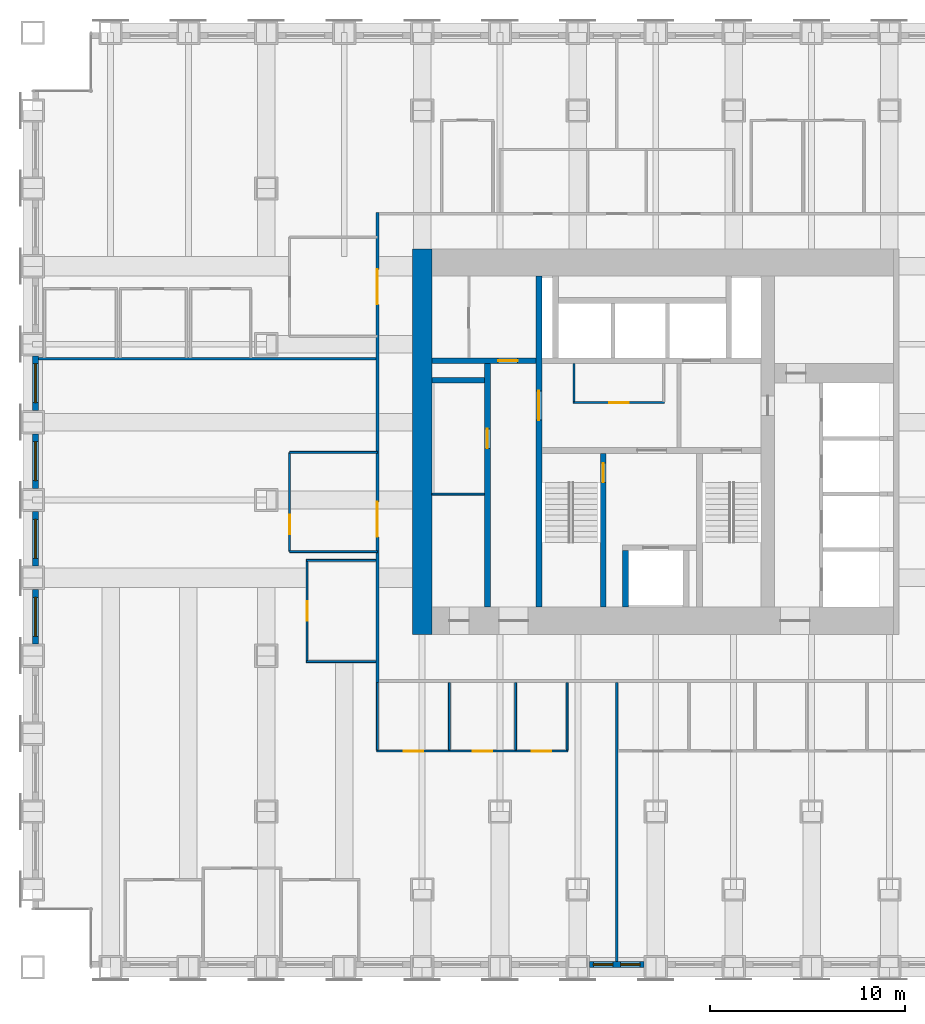
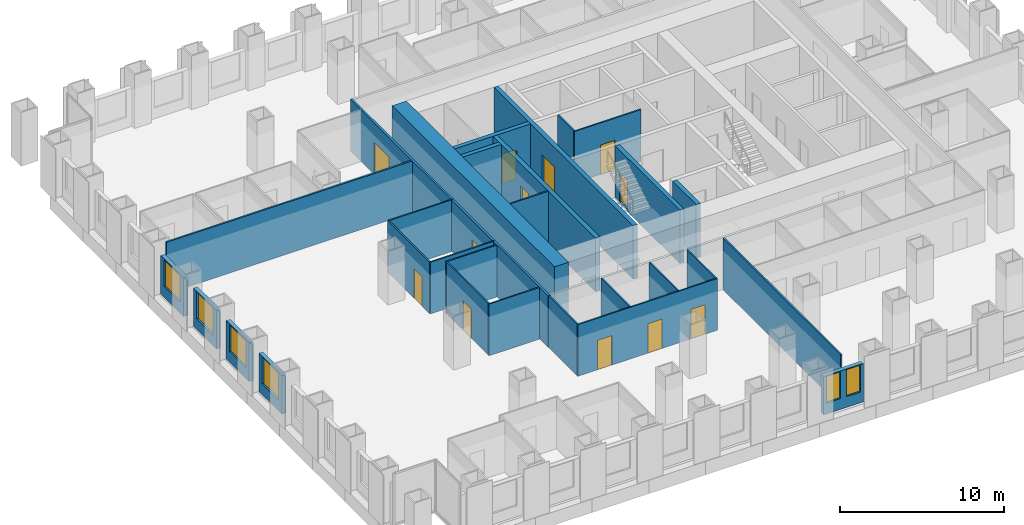
# One storey, part 8 of 14: 29 walls, 12 doors, 6 windows, 18 openings.
"""IFC4 building model written with IfcOpenShell, lengths in metres."""

from ifc_helpers import new_model, si_unit, direction, frame, frame_2d, origin, place, context, subcontext, project, spatial, rectangle, extrude, material, layer, layer_set, type_object, element, fill, save


model = new_model("IFC4")

# Units and contexts
model_context = context("Model", 3, precision=1e-05, world=origin(), true_north=direction((0.0, 1.0)))
body_context = subcontext(model_context, "Body", "Model", "MODEL_VIEW")
ifc_project = project(units=[si_unit("LENGTHUNIT", "METRE"), si_unit("AREAUNIT", "SQUARE_METRE"), si_unit("VOLUMEUNIT", "CUBIC_METRE"), si_unit("PLANEANGLEUNIT", "RADIAN"), si_unit("MASSUNIT", "GRAM", prefix="KILO")], contexts=[model_context])

# Site, building, storey
site_placement = place(None, origin())
site = spatial("IfcSite", under=ifc_project, at=site_placement, CompositionType="ELEMENT")
building_placement = place(site_placement, origin())
building = spatial("IfcBuilding", under=site, at=building_placement, Name="Rimbunsela Tower", CompositionType="ELEMENT")
storey_placement = place(building_placement, frame((0.0, 0.0, 59.0)))
storey = spatial("IfcBuildingStorey", under=building, at=storey_placement, Name="L14", CompositionType="ELEMENT", Elevation=59.0)

# Wall, opening, door
ifc_material_1 = material(Name="Concrete fc' 80 MPa", Category="concrete")
ifc_layer_1 = layer(ifc_material_1, 0.300048828125)
ifc_layer_set_1 = layer_set([ifc_layer_1], Name="Core internal wall 300")
wall_type_1 = type_object("IfcWallType", Name="Core internal wall 300", PredefinedType="SHEAR", material=ifc_layer_set_1)
wall_1_placement = place(storey_placement, frame((24.0, 18.5, -0.14990234375), z_axis=(0.0, 0.0, 1.0), x_axis=(0.0, 1.0, 0.0)))
wall_1 = element("IfcWall", 1, at=wall_1_placement, inside=storey, type_object=wall_type_1, Name="Core wall at stair A", PredefinedType="SHEAR", context=body_context, shape_type="SweptSolid", body=[
    extrude(rectangle(XDim=17.0, YDim=0.300048828125, at=frame_2d((8.5, 0.0))), origin(), (0.0, 0.0, 1.0), 4.0),
])
opening_1_placement = place(wall_1_placement, frame((9.60009765625, 0.0, 0.14990234375)))
opening_1 = element("IfcOpeningElement", 2, at=opening_1_placement, cuts=wall_1, Name="Opening D03", PredefinedType="OPENING", context=body_context, shape_type="SweptSolid", body=[
    extrude(rectangle(XDim=1.5, YDim=2.39990234375, at=frame_2d((0.75, 1.199951171875))), frame((0.0, 0.159912109375, 0.0), z_axis=(0.0, -1.0, 0.0), x_axis=(1.0, 0.0, 0.0)), (0.0, 0.0, 1.0), 0.320068359375),
])
ifc_material_2 = material(Name="Steel door, fire rated", Category="steel")
door_type_1 = type_object("IfcDoorType", Name="Core lobby door 1500", OperationType="DOUBLE_DOOR_DOUBLE_SWING", PredefinedType="DOOR", material=ifc_material_2)
door_1_placement = place(opening_1_placement, origin())
door_1 = element("IfcDoor", 3, at=door_1_placement, inside=storey, type_object=door_type_1, Name="West lobby door", OperationType="DOUBLE_DOOR_DOUBLE_SWING", OverallHeight=2.39990234375, OverallWidth=1.5, PredefinedType="DOOR", context=body_context, shape_type="SweptSolid", body=[
    extrude(rectangle(XDim=1.5, YDim=2.39990234375, at=frame_2d((0.75, 1.199951171875))), frame((0.0, 0.02490234375, 0.0), z_axis=(0.0, -1.0, 0.0), x_axis=(1.0, 0.0, 0.0)), (0.0, 0.0, 1.0), 0.050048828125),
])
fill(opening_1, door_1)

wall_2_placement = place(storey_placement, frame((27.300048828125, 18.5, -0.14990234375), z_axis=(0.0, 0.0, 1.0), x_axis=(0.0, 1.0, 0.0)))
wall_2 = element("IfcWall", 4, at=wall_2_placement, inside=storey, type_object=wall_type_1, Name="Stair A enclosure", PredefinedType="SHEAR", context=body_context, shape_type="SweptSolid", body=[
    extrude(rectangle(XDim=7.89990234375, YDim=0.300048828125, at=frame_2d((3.949951171875, 0.0))), origin(), (0.0, 0.0, 1.0), 4.0),
])
opening_2_placement = place(wall_2_placement, frame((6.39990234375, 0.0, 0.14990234375)))
opening_2 = element("IfcOpeningElement", 5, at=opening_2_placement, cuts=wall_2, Name="Opening D01", PredefinedType="OPENING", context=body_context, shape_type="SweptSolid", body=[
    extrude(rectangle(XDim=1.0, YDim=2.199951171875, at=frame_2d((0.5, 1.10009765625))), frame((0.0, 0.159912109375, 0.0), z_axis=(0.0, -1.0, 0.0), x_axis=(1.0, 0.0, 0.0)), (0.0, 0.0, 1.0), 0.320068359375),
])
ifc_material_3 = material(Name="Steel door, fire rated", Category="steel")
door_type_2 = type_object("IfcDoorType", Name="Stair door 1000", OperationType="SINGLE_SWING_RIGHT", PredefinedType="DOOR", material=ifc_material_3)
door_2_placement = place(opening_2_placement, origin())
door_2 = element("IfcDoor", 6, at=door_2_placement, inside=storey, type_object=door_type_2, Name="Stair A door", OperationType="SINGLE_SWING_RIGHT", OverallHeight=2.199951171875, OverallWidth=1.0, PredefinedType="DOOR", context=body_context, shape_type="SweptSolid", body=[
    extrude(rectangle(XDim=1.0, YDim=2.199951171875, at=frame_2d((0.5, 1.10009765625))), frame((0.0, 0.02490234375, 0.0), z_axis=(0.0, -1.0, 0.0), x_axis=(1.0, 0.0, 0.0)), (0.0, 0.0, 1.0), 0.050048828125),
])
fill(opening_2, door_2)

# Wall
wall_3_placement = place(storey_placement, frame((28.449951171875, 18.5, -0.14990234375), z_axis=(0.0, 0.0, 1.0), x_axis=(0.0, 1.0, 0.0)))
element("IfcWall", 7, at=wall_3_placement, inside=storey, type_object=wall_type_1, Name="Firefighting lift shaft west", PredefinedType="SHEAR", context=body_context, shape_type="SweptSolid", body=[
    extrude(rectangle(XDim=2.89990234375, YDim=0.300048828125, at=frame_2d((1.449951171875, 0.0))), origin(), (0.0, 0.0, 1.0), 4.0),
])

# Wall, opening, door
wall_4_placement = place(storey_placement, frame((21.35009765625, 18.5, -0.14990234375), z_axis=(0.0, 0.0, 1.0), x_axis=(0.0, 1.0, 0.0)))
wall_4 = element("IfcWall", 8, at=wall_4_placement, inside=storey, type_object=wall_type_1, Name="Lift shaft front west", PredefinedType="SHEAR", context=body_context, shape_type="SweptSolid", body=[
    extrude(rectangle(XDim=12.5, YDim=0.300048828125, at=frame_2d((6.25, 0.0))), origin(), (0.0, 0.0, 1.0), 4.0),
])
opening_3_placement = place(wall_4_placement, frame((8.14990234375, 0.0, 0.14990234375)))
opening_3 = element("IfcOpeningElement", 9, at=opening_3_placement, cuts=wall_4, Name="Opening D19", PredefinedType="OPENING", context=body_context, shape_type="SweptSolid", body=[
    extrude(rectangle(XDim=1.0, YDim=2.199951171875, at=frame_2d((0.5, 1.10009765625))), frame((0.0, 0.159912109375, 0.0), z_axis=(0.0, -1.0, 0.0), x_axis=(1.0, 0.0, 0.0)), (0.0, 0.0, 1.0), 0.320068359375),
])
ifc_material_4 = material(Name="Steel door, fire rated", Category="steel")
door_type_3 = type_object("IfcDoorType", Name="Service door 1000 fire rated", OperationType="SINGLE_SWING_LEFT", PredefinedType="DOOR", material=ifc_material_4)
door_3_placement = place(opening_3_placement, origin())
door_3 = element("IfcDoor", 10, at=door_3_placement, inside=storey, type_object=door_type_3, Name="IT room door", OperationType="SINGLE_SWING_LEFT", OverallHeight=2.199951171875, OverallWidth=1.0, PredefinedType="DOOR", context=body_context, shape_type="SweptSolid", body=[
    extrude(rectangle(XDim=1.0, YDim=2.199951171875, at=frame_2d((0.5, 1.10009765625))), frame((0.0, 0.02490234375, 0.0), z_axis=(0.0, -1.0, 0.0), x_axis=(1.0, 0.0, 0.0)), (0.0, 0.0, 1.0), 0.050048828125),
])
fill(opening_3, door_3)

wall_5_placement = place(storey_placement, frame((18.5, 31.14990234375, -0.14990234375), z_axis=(0.0, 0.0, 1.0), x_axis=(1.0, 0.0, 0.0)))
wall_5 = element("IfcWall", 11, at=wall_5_placement, inside=storey, type_object=wall_type_1, Name="Store wall", PredefinedType="SHEAR", context=body_context, shape_type="SweptSolid", body=[
    extrude(rectangle(XDim=5.35009765625, YDim=0.300048828125, at=frame_2d((2.675048828125, 0.0))), origin(), (0.0, 0.0, 1.0), 4.0),
])
opening_4_placement = place(wall_5_placement, frame((3.39990234375, 0.0, 0.14990234375)))
opening_4 = element("IfcOpeningElement", 12, at=opening_4_placement, cuts=wall_5, Name="Opening D19", PredefinedType="OPENING", context=body_context, shape_type="SweptSolid", body=[
    extrude(rectangle(XDim=1.0, YDim=2.199951171875, at=frame_2d((0.5, 1.10009765625))), frame((0.0, 0.159912109375, 0.0), z_axis=(0.0, -1.0, 0.0), x_axis=(1.0, 0.0, 0.0)), (0.0, 0.0, 1.0), 0.320068359375),
])
door_4_placement = place(opening_4_placement, origin())
door_4 = element("IfcDoor", 13, at=door_4_placement, inside=storey, type_object=door_type_3, Name="Cleaners store door", OperationType="SINGLE_SWING_LEFT", OverallHeight=2.199951171875, OverallWidth=1.0, PredefinedType="DOOR", context=body_context, shape_type="SweptSolid", body=[
    extrude(rectangle(XDim=1.0, YDim=2.199951171875, at=frame_2d((0.5, 1.10009765625))), frame((0.0, 0.02490234375, 0.0), z_axis=(0.0, -1.0, 0.0), x_axis=(1.0, 0.0, 0.0)), (0.0, 0.0, 1.0), 0.050048828125),
])
fill(opening_4, door_4)

# Wall
wall_6_placement = place(storey_placement, frame((18.5, 30.14990234375, -0.14990234375), z_axis=(0.0, 0.0, 1.0), x_axis=(1.0, 0.0, 0.0)))
element("IfcWall", 14, at=wall_6_placement, inside=storey, type_object=wall_type_1, Name="Lift shaft rear west", PredefinedType="SHEAR", context=body_context, shape_type="SweptSolid", body=[
    extrude(rectangle(XDim=2.699951171875, YDim=0.300048828125, at=frame_2d((1.35009765625, 0.0))), origin(), (0.0, 0.0, 1.0), 4.0),
])

# Wall, opening, door
ifc_material_5 = material(Name="Concrete blockwork", Category="masonry")
ifc_layer_2 = layer(ifc_material_5, 0.10009765625)
ifc_layer_set_2 = layer_set([ifc_layer_2], Name="Core room partition 100")
wall_type_2 = type_object("IfcWallType", Name="Core room partition 100", PredefinedType="PARTITIONING", material=ifc_layer_set_2)
wall_7_placement = place(storey_placement, frame((25.75, 29.0, 0.0), z_axis=(0.0, 0.0, 1.0), x_axis=(1.0, 0.0, 0.0)))
wall_7 = element("IfcWall", 15, at=wall_7_placement, inside=storey, type_object=wall_type_2, Name="Lobby room wall", PredefinedType="PARTITIONING", context=body_context, shape_type="SweptSolid", body=[
    extrude(rectangle(XDim=4.699951171875, YDim=0.10009765625, at=frame_2d((2.35009765625, 0.0))), origin(), (0.0, 0.0, 1.0), 3.85009765625),
])
opening_5_placement = place(wall_7_placement, frame((1.85009765625, 0.0, 0.0)))
opening_5 = element("IfcOpeningElement", 16, at=opening_5_placement, cuts=wall_7, Name="Opening D19", PredefinedType="OPENING", context=body_context, shape_type="SweptSolid", body=[
    extrude(rectangle(XDim=1.0, YDim=2.199951171875, at=frame_2d((0.5, 1.10009765625))), frame((0.0, 0.06005859375, 0.0), z_axis=(0.0, -1.0, 0.0), x_axis=(1.0, 0.0, 0.0)), (0.0, 0.0, 1.0), 0.1201171875),
])
door_5_placement = place(opening_5_placement, origin())
door_5 = element("IfcDoor", 17, at=door_5_placement, inside=storey, type_object=door_type_3, Name="Tenant store door", OperationType="SINGLE_SWING_LEFT", OverallHeight=2.199951171875, OverallWidth=1.0, PredefinedType="DOOR", context=body_context, shape_type="SweptSolid", body=[
    extrude(rectangle(XDim=1.0, YDim=2.199951171875, at=frame_2d((0.5, 1.10009765625))), frame((0.0, 0.02490234375, 0.0), z_axis=(0.0, -1.0, 0.0), x_axis=(1.0, 0.0, 0.0)), (0.0, 0.0, 1.0), 0.050048828125),
])
fill(opening_5, door_5)

# Walls
wall_8_placement = place(storey_placement, frame((25.800048828125, 29.050048828125, 0.0), z_axis=(0.0, 0.0, 1.0), x_axis=(0.0, 1.0, 0.0)))
element("IfcWall", 18, at=wall_8_placement, inside=storey, type_object=wall_type_2, Name="Lobby room wall", PredefinedType="PARTITIONING", context=body_context, shape_type="SweptSolid", body=[
    extrude(rectangle(XDim=1.949951171875, YDim=0.10009765625, at=frame_2d((0.97509765625, 0.0))), origin(), (0.0, 0.0, 1.0), 3.85009765625),
])
wall_9_placement = place(storey_placement, frame((18.5, 24.300048828125, 0.0), z_axis=(0.0, 0.0, 1.0), x_axis=(1.0, 0.0, 0.0)))
element("IfcWall", 19, at=wall_9_placement, inside=storey, type_object=wall_type_2, Name="IT room wall", PredefinedType="PARTITIONING", context=body_context, shape_type="SweptSolid", body=[
    extrude(rectangle(XDim=2.699951171875, YDim=0.10009765625, at=frame_2d((1.35009765625, 0.0))), origin(), (0.0, 0.0, 1.0), 3.85009765625),
])
ifc_material_6 = material(Name="Concrete fc' 80 MPa", Category="concrete")
ifc_layer_3 = layer(ifc_material_6, 1.0)
ifc_layer_set_3 = layer_set([ifc_layer_3], Name="Core wall 1000")
wall_type_3 = type_object("IfcWallType", Name="Core wall 1000", PredefinedType="SHEAR", material=ifc_layer_set_3)
wall_10_placement = place(storey_placement, frame((18.0, 17.10009765625, -0.14990234375), z_axis=(0.0, 0.0, 1.0), x_axis=(0.0, 1.0, 0.0)))
element("IfcWall", 20, at=wall_10_placement, inside=storey, type_object=wall_type_3, Name="Core wall west", PredefinedType="SHEAR", context=body_context, shape_type="SweptSolid", body=[
    extrude(rectangle(XDim=19.7998046875, YDim=1.0, at=frame_2d((9.89990234375, 0.0))), origin(), (0.0, 0.0, 1.0), 4.0),
])

# Wall, openings, doors
ifc_material_7 = material(Name="Gypsum board on steel studs", Category="steel")
ifc_layer_4 = layer(ifc_material_7, 0.10009765625)
ifc_layer_set_4 = layer_set([ifc_layer_4], Name="Office partition 100")
wall_type_4 = type_object("IfcWallType", Name="Office partition 100", PredefinedType="PARTITIONING", material=ifc_layer_set_4)
wall_11_placement = place(storey_placement, frame((15.64990234375, 11.10009765625, 0.0), z_axis=(0.0, 0.0, 1.0), x_axis=(1.0, 0.0, 0.0)))
wall_11 = element("IfcWall", 21, at=wall_11_placement, inside=storey, type_object=wall_type_4, Name="Office partition", PredefinedType="PARTITIONING", context=body_context, shape_type="SweptSolid", body=[
    extrude(rectangle(XDim=9.85009765625, YDim=0.10009765625, at=frame_2d((4.925048828125, 0.0))), origin(), (0.0, 0.0, 1.0), 3.85009765625),
])
opening_6_placement = place(wall_11_placement, frame((1.39990234375, 0.0, 0.0)))
opening_6 = element("IfcOpeningElement", 22, at=opening_6_placement, cuts=wall_11, Name="Opening D17", PredefinedType="OPENING", context=body_context, shape_type="SweptSolid", body=[
    extrude(rectangle(XDim=1.0, YDim=2.199951171875, at=frame_2d((0.5, 1.10009765625))), frame((0.0, 0.06005859375, 0.0), z_axis=(0.0, -1.0, 0.0), x_axis=(1.0, 0.0, 0.0)), (0.0, 0.0, 1.0), 0.1201171875),
])
opening_7_placement = place(wall_11_placement, frame((4.949951171875, 0.0, 0.0)))
opening_7 = element("IfcOpeningElement", 23, at=opening_7_placement, cuts=wall_11, Name="Opening D16", PredefinedType="OPENING", context=body_context, shape_type="SweptSolid", body=[
    extrude(rectangle(XDim=1.0, YDim=2.199951171875, at=frame_2d((0.5, 1.10009765625))), frame((0.0, 0.06005859375, 0.0), z_axis=(0.0, -1.0, 0.0), x_axis=(1.0, 0.0, 0.0)), (0.0, 0.0, 1.0), 0.1201171875),
])
opening_8_placement = place(wall_11_placement, frame((7.97509765625, 0.0, 0.0)))
opening_8 = element("IfcOpeningElement", 24, at=opening_8_placement, cuts=wall_11, Name="Opening D16", PredefinedType="OPENING", context=body_context, shape_type="SweptSolid", body=[
    extrude(rectangle(XDim=1.0, YDim=2.199951171875, at=frame_2d((0.5, 1.10009765625))), frame((0.0, 0.06005859375, 0.0), z_axis=(0.0, -1.0, 0.0), x_axis=(1.0, 0.0, 0.0)), (0.0, 0.0, 1.0), 0.1201171875),
])
ifc_material_8 = material(Name="Glazed aluminium door", Category="aluminium")
door_type_4 = type_object("IfcDoorType", Name="Meeting room door 1000 glazed", OperationType="SINGLE_SWING_RIGHT", PredefinedType="DOOR", material=ifc_material_8)
door_6_placement = place(opening_6_placement, origin())
door_6 = element("IfcDoor", 25, at=door_6_placement, inside=storey, type_object=door_type_4, Name="Meeting room door", OperationType="SINGLE_SWING_RIGHT", OverallHeight=2.199951171875, OverallWidth=1.0, PredefinedType="DOOR", context=body_context, shape_type="SweptSolid", body=[
    extrude(rectangle(XDim=1.0, YDim=2.199951171875, at=frame_2d((0.5, 1.10009765625))), frame((0.0, 0.02490234375, 0.0), z_axis=(0.0, -1.0, 0.0), x_axis=(1.0, 0.0, 0.0)), (0.0, 0.0, 1.0), 0.050048828125),
])
fill(opening_6, door_6)
ifc_material_9 = material(Name="Timber door", Category="wood")
door_type_5 = type_object("IfcDoorType", Name="Office door 1000", OperationType="SINGLE_SWING_LEFT", PredefinedType="DOOR", material=ifc_material_9)
door_7_placement = place(opening_7_placement, origin())
door_7 = element("IfcDoor", 26, at=door_7_placement, inside=storey, type_object=door_type_5, Name="Office door", OperationType="SINGLE_SWING_LEFT", OverallHeight=2.199951171875, OverallWidth=1.0, PredefinedType="DOOR", context=body_context, shape_type="SweptSolid", body=[
    extrude(rectangle(XDim=1.0, YDim=2.199951171875, at=frame_2d((0.5, 1.10009765625))), frame((0.0, 0.02490234375, 0.0), z_axis=(0.0, -1.0, 0.0), x_axis=(1.0, 0.0, 0.0)), (0.0, 0.0, 1.0), 0.050048828125),
])
fill(opening_7, door_7)
door_8_placement = place(opening_8_placement, origin())
door_8 = element("IfcDoor", 27, at=door_8_placement, inside=storey, type_object=door_type_5, Name="Office door", OperationType="SINGLE_SWING_LEFT", OverallHeight=2.199951171875, OverallWidth=1.0, PredefinedType="DOOR", context=body_context, shape_type="SweptSolid", body=[
    extrude(rectangle(XDim=1.0, YDim=2.199951171875, at=frame_2d((0.5, 1.10009765625))), frame((0.0, 0.02490234375, 0.0), z_axis=(0.0, -1.0, 0.0), x_axis=(1.0, 0.0, 0.0)), (0.0, 0.0, 1.0), 0.050048828125),
])
fill(opening_8, door_8)

# Walls
for number, where, z_axis, x_axis, name in (
    (28, (12.050048828125, 15.699951171875, 0.0), (0.0, 0.0, 1.0), (1.0, 0.0, 0.0), "Office partition"),
    (29, (12.050048828125, 20.89990234375, 0.0), (0.0, 0.0, 1.0), (1.0, 0.0, 0.0), "Office partition"),
):
    element("IfcWall", number, at=place(storey_placement, frame(where, z_axis=z_axis, x_axis=x_axis)), inside=storey, type_object=wall_type_4, Name=name, PredefinedType="PARTITIONING", context=body_context, shape_type="SweptSolid", body=[
        extrude(rectangle(XDim=3.574951171875, YDim=0.10009765625, at=frame_2d((1.78759765625, 0.0))), origin(), (0.0, 0.0, 1.0), 3.85009765625),
    ])

# Wall, opening, door
wall_12_placement = place(storey_placement, frame((12.10009765625, 15.75, 0.0), z_axis=(0.0, 0.0, 1.0), x_axis=(0.0, 1.0, 0.0)))
wall_12 = element("IfcWall", 30, at=wall_12_placement, inside=storey, type_object=wall_type_4, Name="Office partition", PredefinedType="PARTITIONING", context=body_context, shape_type="SweptSolid", body=[
    extrude(rectangle(XDim=5.10009765625, YDim=0.10009765625, at=frame_2d((2.550048828125, 0.0))), origin(), (0.0, 0.0, 1.0), 3.85009765625),
])
opening_9_placement = place(wall_12_placement, frame((2.050048828125, 0.0, 0.0)))
opening_9 = element("IfcOpeningElement", 31, at=opening_9_placement, cuts=wall_12, Name="Opening D16", PredefinedType="OPENING", context=body_context, shape_type="SweptSolid", body=[
    extrude(rectangle(XDim=1.0, YDim=2.199951171875, at=frame_2d((0.5, 1.10009765625))), frame((0.0, 0.06005859375, 0.0), z_axis=(0.0, -1.0, 0.0), x_axis=(1.0, 0.0, 0.0)), (0.0, 0.0, 1.0), 0.1201171875),
])
door_9_placement = place(opening_9_placement, origin())
door_9 = element("IfcDoor", 32, at=door_9_placement, inside=storey, type_object=door_type_5, Name="Office door", OperationType="SINGLE_SWING_LEFT", OverallHeight=2.199951171875, OverallWidth=1.0, PredefinedType="DOOR", context=body_context, shape_type="SweptSolid", body=[
    extrude(rectangle(XDim=1.0, YDim=2.199951171875, at=frame_2d((0.5, 1.10009765625))), frame((0.0, 0.02490234375, 0.0), z_axis=(0.0, -1.0, 0.0), x_axis=(1.0, 0.0, 0.0)), (0.0, 0.0, 1.0), 0.050048828125),
])
fill(opening_9, door_9)

# Walls
for number, where, z_axis, x_axis, name in (
    (33, (15.699951171875, 11.14990234375, 0.0), (0.0, 0.0, 1.0), (0.0, 1.0, 0.0), "Office partition"),
    (34, (19.39990234375, 11.14990234375, 0.0), (0.0, 0.0, 1.0), (0.0, 1.0, 0.0), "Office partition"),
    (35, (22.800048828125, 11.14990234375, 0.0), (0.0, 0.0, 1.0), (0.0, 1.0, 0.0), "Office partition"),
    (36, (25.449951171875, 11.14990234375, 0.0), (0.0, 0.0, 1.0), (0.0, 1.0, 0.0), "Office partition"),
):
    element("IfcWall", number, at=place(storey_placement, frame(where, z_axis=z_axis, x_axis=x_axis)), inside=storey, type_object=wall_type_4, Name=name, PredefinedType="PARTITIONING", context=body_context, shape_type="SweptSolid", body=[
        extrude(rectangle(XDim=3.47509765625, YDim=0.10009765625, at=frame_2d((1.737548828125, 0.0))), origin(), (0.0, 0.0, 1.0), 3.85009765625),
    ])
wall_13_placement = place(storey_placement, frame((15.699951171875, 26.449951171875, 0.0), z_axis=(0.0, 0.0, 1.0), x_axis=(-1.0, 0.0, 0.0)))
element("IfcWall", 37, at=wall_13_placement, inside=storey, type_object=wall_type_4, Name="Office partition", PredefinedType="PARTITIONING", context=body_context, shape_type="SweptSolid", body=[
    extrude(rectangle(XDim=4.5, YDim=0.10009765625, at=frame_2d((2.25, 0.0))), origin(), (0.0, 0.0, 1.0), 3.85009765625),
])

# Wall, opening, door
wall_14_placement = place(storey_placement, frame((11.199951171875, 26.449951171875, 0.0), z_axis=(0.0, 0.0, 1.0), x_axis=(0.0, -1.0, 0.0)))
wall_14 = element("IfcWall", 38, at=wall_14_placement, inside=storey, type_object=wall_type_4, Name="Office partition", PredefinedType="PARTITIONING", context=body_context, shape_type="SweptSolid", body=[
    extrude(rectangle(XDim=5.099853515625, YDim=0.10009765625, at=frame_2d((2.5498046875, 0.0))), origin(), (0.0, 0.0, 1.0), 3.85009765625),
])
opening_10_placement = place(wall_14_placement, frame((3.199951171875, 0.0, 0.0)))
opening_10 = element("IfcOpeningElement", 39, at=opening_10_placement, cuts=wall_14, Name="Opening D17", PredefinedType="OPENING", context=body_context, shape_type="SweptSolid", body=[
    extrude(rectangle(XDim=1.0, YDim=2.199951171875, at=frame_2d((0.5, 1.10009765625))), frame((0.0, 0.06005859375, 0.0), z_axis=(0.0, -1.0, 0.0), x_axis=(1.0, 0.0, 0.0)), (0.0, 0.0, 1.0), 0.1201171875),
])
door_10_placement = place(opening_10_placement, origin())
door_10 = element("IfcDoor", 40, at=door_10_placement, inside=storey, type_object=door_type_4, Name="Reception door", OperationType="SINGLE_SWING_RIGHT", OverallHeight=2.199951171875, OverallWidth=1.0, PredefinedType="DOOR", context=body_context, shape_type="SweptSolid", body=[
    extrude(rectangle(XDim=1.0, YDim=2.199951171875, at=frame_2d((0.5, 1.10009765625))), frame((0.0, 0.02490234375, 0.0), z_axis=(0.0, -1.0, 0.0), x_axis=(1.0, 0.0, 0.0)), (0.0, 0.0, 1.0), 0.050048828125),
])
fill(opening_10, door_10)

# Wall
wall_15_placement = place(storey_placement, frame((11.199951171875, 21.35009765625, 0.0), z_axis=(0.0, 0.0, 1.0), x_axis=(1.0, 0.0, 0.0)))
element("IfcWall", 41, at=wall_15_placement, inside=storey, type_object=wall_type_4, Name="Office partition", PredefinedType="PARTITIONING", context=body_context, shape_type="SweptSolid", body=[
    extrude(rectangle(XDim=4.5, YDim=0.10009765625, at=frame_2d((2.25, 0.0))), origin(), (0.0, 0.0, 1.0), 3.85009765625),
])

# Wall, openings, windows
ifc_material_10 = material(Name="Precast concrete fc' 35 MPa", Category="concrete")
ifc_layer_5 = layer(ifc_material_10, 0.300048828125)
ifc_layer_set_5 = layer_set([ifc_layer_5], Name="Precast concrete fc' 35 MPa")
wall_type_5 = type_object("IfcWallType", Name="Precast facade panel 300", PredefinedType="ELEMENTEDWALL", material=ifc_layer_set_5)
wall_16_placement = place(storey_placement, frame((26.60009765625, 0.14990234375, 0.0), z_axis=(0.0, 0.0, 1.0), x_axis=(1.0, 0.0, 0.0)))
wall_16 = element("IfcWall", 42, at=wall_16_placement, inside=storey, type_object=wall_type_5, Name="Facade panel S L14", PredefinedType="ELEMENTEDWALL", context=body_context, shape_type="SweptSolid", body=[
    extrude(rectangle(XDim=2.7998046875, YDim=0.300048828125, at=frame_2d((1.39990234375, 0.0))), origin(), (0.0, 0.0, 1.0), 2.85009765625),
])
opening_11_placement = place(wall_16_placement, frame((0.199951171875, 0.0, 0.800048828125)))
opening_11 = element("IfcOpeningElement", 43, at=opening_11_placement, cuts=wall_16, Name="Opening W5", PredefinedType="OPENING", context=body_context, shape_type="SweptSolid", body=[
    extrude(rectangle(XDim=1.0, YDim=2.0, at=frame_2d((0.5, 1.0))), frame((0.0, 0.159912109375, 0.0), z_axis=(0.0, -1.0, 0.0), x_axis=(1.0, 0.0, 0.0)), (0.0, 0.0, 1.0), 0.320068359375),
])
opening_12_placement = place(wall_16_placement, frame((1.60009765625, 0.0, 0.800048828125)))
opening_12 = element("IfcOpeningElement", 44, at=opening_12_placement, cuts=wall_16, Name="Opening W5", PredefinedType="OPENING", context=body_context, shape_type="SweptSolid", body=[
    extrude(rectangle(XDim=1.0, YDim=2.0, at=frame_2d((0.5, 1.0))), frame((0.0, 0.159912109375, 0.0), z_axis=(0.0, -1.0, 0.0), x_axis=(1.0, 0.0, 0.0)), (0.0, 0.0, 1.0), 0.320068359375),
])
ifc_material_11 = material(Name="Clear glass in aluminium frame", Category="aluminium")
window_type_1 = type_object("IfcWindowType", Name="Window W5 1000x2000", PartitioningType="SINGLE_PANEL", PredefinedType="WINDOW", material=ifc_material_11)
window_1_placement = place(opening_11_placement, origin())
window_1 = element("IfcWindow", 45, at=window_1_placement, inside=storey, type_object=window_type_1, Name="Window L14", OverallHeight=2.0, OverallWidth=1.0, PartitioningType="SINGLE_PANEL", PredefinedType="WINDOW", context=body_context, shape_type="SweptSolid", body=[
    extrude(rectangle(XDim=1.0, YDim=2.0, at=frame_2d((0.5, 1.0))), frame((0.0, 0.030029296875, 0.0), z_axis=(0.0, -1.0, 0.0), x_axis=(1.0, 0.0, 0.0)), (0.0, 0.0, 1.0), 0.06005859375),
])
fill(opening_11, window_1)
window_2_placement = place(opening_12_placement, origin())
window_2 = element("IfcWindow", 46, at=window_2_placement, inside=storey, type_object=window_type_1, Name="Window L14", OverallHeight=2.0, OverallWidth=1.0, PartitioningType="SINGLE_PANEL", PredefinedType="WINDOW", context=body_context, shape_type="SweptSolid", body=[
    extrude(rectangle(XDim=1.0, YDim=2.0, at=frame_2d((0.5, 1.0))), frame((0.0, 0.030029296875, 0.0), z_axis=(0.0, -1.0, 0.0), x_axis=(1.0, 0.0, 0.0)), (0.0, 0.0, 1.0), 0.06005859375),
])
fill(opening_12, window_2)

# Wall, opening, window
wall_17_placement = place(storey_placement, frame((-1.85009765625, 19.39990234375, 0.0), z_axis=(0.0, 0.0, 1.0), x_axis=(0.0, -1.0, 0.0)))
wall_17 = element("IfcWall", 47, at=wall_17_placement, inside=storey, type_object=wall_type_5, Name="Facade panel W L14", PredefinedType="ELEMENTEDWALL", context=body_context, shape_type="SweptSolid", body=[
    extrude(rectangle(XDim=2.7998046875, YDim=0.300048828125, at=frame_2d((1.39990234375, 0.0))), origin(), (0.0, 0.0, 1.0), 2.85009765625),
])
opening_13_placement = place(wall_17_placement, frame((0.39990234375, 0.0, 0.800048828125)))
opening_13 = element("IfcOpeningElement", 48, at=opening_13_placement, cuts=wall_17, Name="Opening W1", PredefinedType="OPENING", context=body_context, shape_type="SweptSolid", body=[
    extrude(rectangle(XDim=2.0, YDim=2.0, at=frame_2d((1.0, 1.0))), frame((0.0, 0.159912109375, 0.0), z_axis=(0.0, -1.0, 0.0), x_axis=(1.0, 0.0, 0.0)), (0.0, 0.0, 1.0), 0.320068359375),
])
ifc_material_12 = material(Name="Clear glass in aluminium frame", Category="aluminium")
window_type_2 = type_object("IfcWindowType", Name="Window W1 2000x2000", PartitioningType="DOUBLE_PANEL_VERTICAL", PredefinedType="WINDOW", material=ifc_material_12)
window_3_placement = place(opening_13_placement, origin())
window_3 = element("IfcWindow", 49, at=window_3_placement, inside=storey, type_object=window_type_2, Name="Window L14", OverallHeight=2.0, OverallWidth=2.0, PartitioningType="SINGLE_PANEL", PredefinedType="WINDOW", context=body_context, shape_type="SweptSolid", body=[
    extrude(rectangle(XDim=2.0, YDim=2.0, at=frame_2d((1.0, 1.0))), frame((0.0, 0.030029296875, 0.0), z_axis=(0.0, -1.0, 0.0), x_axis=(1.0, 0.0, 0.0)), (0.0, 0.0, 1.0), 0.06005859375),
])
fill(opening_13, window_3)

wall_18_placement = place(storey_placement, frame((-1.85009765625, 23.39990234375, 0.0), z_axis=(0.0, 0.0, 1.0), x_axis=(0.0, -1.0, 0.0)))
wall_18 = element("IfcWall", 50, at=wall_18_placement, inside=storey, type_object=wall_type_5, Name="Facade panel W L14", PredefinedType="ELEMENTEDWALL", context=body_context, shape_type="SweptSolid", body=[
    extrude(rectangle(XDim=2.7998046875, YDim=0.300048828125, at=frame_2d((1.39990234375, 0.0))), origin(), (0.0, 0.0, 1.0), 2.85009765625),
])
opening_14_placement = place(wall_18_placement, frame((0.39990234375, 0.0, 0.800048828125)))
opening_14 = element("IfcOpeningElement", 51, at=opening_14_placement, cuts=wall_18, Name="Opening W1", PredefinedType="OPENING", context=body_context, shape_type="SweptSolid", body=[
    extrude(rectangle(XDim=2.0, YDim=2.0, at=frame_2d((1.0, 1.0))), frame((0.0, 0.159912109375, 0.0), z_axis=(0.0, -1.0, 0.0), x_axis=(1.0, 0.0, 0.0)), (0.0, 0.0, 1.0), 0.320068359375),
])
window_4_placement = place(opening_14_placement, origin())
window_4 = element("IfcWindow", 52, at=window_4_placement, inside=storey, type_object=window_type_2, Name="Window L14", OverallHeight=2.0, OverallWidth=2.0, PartitioningType="SINGLE_PANEL", PredefinedType="WINDOW", context=body_context, shape_type="SweptSolid", body=[
    extrude(rectangle(XDim=2.0, YDim=2.0, at=frame_2d((1.0, 1.0))), frame((0.0, 0.030029296875, 0.0), z_axis=(0.0, -1.0, 0.0), x_axis=(1.0, 0.0, 0.0)), (0.0, 0.0, 1.0), 0.06005859375),
])
fill(opening_14, window_4)

wall_19_placement = place(storey_placement, frame((-1.85009765625, 27.39990234375, 0.0), z_axis=(0.0, 0.0, 1.0), x_axis=(0.0, -1.0, 0.0)))
wall_19 = element("IfcWall", 53, at=wall_19_placement, inside=storey, type_object=wall_type_5, Name="Facade panel W L14", PredefinedType="ELEMENTEDWALL", context=body_context, shape_type="SweptSolid", body=[
    extrude(rectangle(XDim=2.7998046875, YDim=0.300048828125, at=frame_2d((1.39990234375, 0.0))), origin(), (0.0, 0.0, 1.0), 2.85009765625),
])
opening_15_placement = place(wall_19_placement, frame((0.39990234375, 0.0, 0.800048828125)))
opening_15 = element("IfcOpeningElement", 54, at=opening_15_placement, cuts=wall_19, Name="Opening W1", PredefinedType="OPENING", context=body_context, shape_type="SweptSolid", body=[
    extrude(rectangle(XDim=2.0, YDim=2.0, at=frame_2d((1.0, 1.0))), frame((0.0, 0.159912109375, 0.0), z_axis=(0.0, -1.0, 0.0), x_axis=(1.0, 0.0, 0.0)), (0.0, 0.0, 1.0), 0.320068359375),
])
window_5_placement = place(opening_15_placement, origin())
window_5 = element("IfcWindow", 55, at=window_5_placement, inside=storey, type_object=window_type_2, Name="Window L14", OverallHeight=2.0, OverallWidth=2.0, PartitioningType="SINGLE_PANEL", PredefinedType="WINDOW", context=body_context, shape_type="SweptSolid", body=[
    extrude(rectangle(XDim=2.0, YDim=2.0, at=frame_2d((1.0, 1.0))), frame((0.0, 0.030029296875, 0.0), z_axis=(0.0, -1.0, 0.0), x_axis=(1.0, 0.0, 0.0)), (0.0, 0.0, 1.0), 0.06005859375),
])
fill(opening_15, window_5)

wall_20_placement = place(storey_placement, frame((-1.85009765625, 31.39990234375, 0.0), z_axis=(0.0, 0.0, 1.0), x_axis=(0.0, -1.0, 0.0)))
wall_20 = element("IfcWall", 56, at=wall_20_placement, inside=storey, type_object=wall_type_5, Name="Facade panel W L14", PredefinedType="ELEMENTEDWALL", context=body_context, shape_type="SweptSolid", body=[
    extrude(rectangle(XDim=2.7998046875, YDim=0.300048828125, at=frame_2d((1.39990234375, 0.0))), origin(), (0.0, 0.0, 1.0), 2.85009765625),
])
opening_16_placement = place(wall_20_placement, frame((0.39990234375, 0.0, 0.800048828125)))
opening_16 = element("IfcOpeningElement", 57, at=opening_16_placement, cuts=wall_20, Name="Opening W1", PredefinedType="OPENING", context=body_context, shape_type="SweptSolid", body=[
    extrude(rectangle(XDim=2.0, YDim=2.0, at=frame_2d((1.0, 1.0))), frame((0.0, 0.159912109375, 0.0), z_axis=(0.0, -1.0, 0.0), x_axis=(1.0, 0.0, 0.0)), (0.0, 0.0, 1.0), 0.320068359375),
])
window_6_placement = place(opening_16_placement, origin())
window_6 = element("IfcWindow", 58, at=window_6_placement, inside=storey, type_object=window_type_2, Name="Window L14", OverallHeight=2.0, OverallWidth=2.0, PartitioningType="SINGLE_PANEL", PredefinedType="WINDOW", context=body_context, shape_type="SweptSolid", body=[
    extrude(rectangle(XDim=2.0, YDim=2.0, at=frame_2d((1.0, 1.0))), frame((0.0, 0.030029296875, 0.0), z_axis=(0.0, -1.0, 0.0), x_axis=(1.0, 0.0, 0.0)), (0.0, 0.0, 1.0), 0.06005859375),
])
fill(opening_16, window_6)

# Wall, openings, doors
ifc_material_13 = material(Name="Fire-rated gypsum board on steel studs, EI 60", Category="steel")
ifc_layer_6 = layer(ifc_material_13, 0.14990234375)
ifc_layer_set_6 = layer_set([ifc_layer_6], Name="Rated corridor wall 150")
wall_type_6 = type_object("IfcWallType", Name="Rated corridor wall 150", PredefinedType="PARTITIONING", material=ifc_layer_set_6)
wall_21_placement = place(storey_placement, frame((15.699951171875, 14.625, 0.0), z_axis=(0.0, 0.0, 1.0), x_axis=(0.0, 1.0, 0.0)))
wall_21 = element("IfcWall", 59, at=wall_21_placement, inside=storey, type_object=wall_type_6, Name="Corridor wall west", PredefinedType="PARTITIONING", context=body_context, shape_type="SweptSolid", body=[
    extrude(rectangle(XDim=24.14990234375, YDim=0.14990234375, at=frame_2d((12.074951171875, 0.0))), origin(), (0.0, 0.0, 1.0), 3.85009765625),
])
opening_17_placement = place(wall_21_placement, frame((7.47509765625, 0.0, 0.0)))
opening_17 = element("IfcOpeningElement", 60, at=opening_17_placement, cuts=wall_21, Name="Opening D09", PredefinedType="OPENING", context=body_context, shape_type="SweptSolid", body=[
    extrude(rectangle(XDim=1.800048828125, YDim=2.39990234375, at=frame_2d((0.89990234375, 1.199951171875))), frame((0.0, 0.0849609375, 0.0), z_axis=(0.0, -1.0, 0.0), x_axis=(1.0, 0.0, 0.0)), (0.0, 0.0, 1.0), 0.169921875),
])
opening_18_placement = place(wall_21_placement, frame((19.425048828125, 0.0, 0.0)))
opening_18 = element("IfcOpeningElement", 61, at=opening_18_placement, cuts=wall_21, Name="Opening D09", PredefinedType="OPENING", context=body_context, shape_type="SweptSolid", body=[
    extrude(rectangle(XDim=1.800048828125, YDim=2.39990234375, at=frame_2d((0.89990234375, 1.199951171875))), frame((0.0, 0.0849609375, 0.0), z_axis=(0.0, -1.0, 0.0), x_axis=(1.0, 0.0, 0.0)), (0.0, 0.0, 1.0), 0.169921875),
])
ifc_material_14 = material(Name="Glazed aluminium door, fire rated", Category="aluminium")
door_type_6 = type_object("IfcDoorType", Name="Tenancy door 1800 glazed", OperationType="DOUBLE_DOOR_DOUBLE_SWING", PredefinedType="DOOR", material=ifc_material_14)
door_11_placement = place(opening_17_placement, origin())
door_11 = element("IfcDoor", 62, at=door_11_placement, inside=storey, type_object=door_type_6, Name="Tenancy door", OperationType="DOUBLE_DOOR_DOUBLE_SWING", OverallHeight=2.39990234375, OverallWidth=1.800048828125, PredefinedType="DOOR", context=body_context, shape_type="SweptSolid", body=[
    extrude(rectangle(XDim=1.800048828125, YDim=2.39990234375, at=frame_2d((0.89990234375, 1.199951171875))), frame((0.0, 0.02490234375, 0.0), z_axis=(0.0, -1.0, 0.0), x_axis=(1.0, 0.0, 0.0)), (0.0, 0.0, 1.0), 0.050048828125),
])
fill(opening_17, door_11)
door_12_placement = place(opening_18_placement, origin())
door_12 = element("IfcDoor", 63, at=door_12_placement, inside=storey, type_object=door_type_6, Name="Tenancy door", OperationType="DOUBLE_DOOR_DOUBLE_SWING", OverallHeight=2.39990234375, OverallWidth=1.800048828125, PredefinedType="DOOR", context=body_context, shape_type="SweptSolid", body=[
    extrude(rectangle(XDim=1.800048828125, YDim=2.39990234375, at=frame_2d((0.89990234375, 1.199951171875))), frame((0.0, 0.02490234375, 0.0), z_axis=(0.0, -1.0, 0.0), x_axis=(1.0, 0.0, 0.0)), (0.0, 0.0, 1.0), 0.050048828125),
])
fill(opening_18, door_12)

# Walls
ifc_material_15 = material(Name="Gypsum board on steel studs", Category="steel")
ifc_layer_7 = layer(ifc_material_15, 0.1201171875)
ifc_layer_set_7 = layer_set([ifc_layer_7], Name="Tenancy partition 120")
wall_type_7 = type_object("IfcWallType", Name="Tenancy partition 120", PredefinedType="PARTITIONING", material=ifc_layer_set_7)
wall_22_placement = place(storey_placement, frame((28.0, 0.300048828125, 0.0), z_axis=(0.0, 0.0, 1.0), x_axis=(0.0, 1.0, 0.0)))
element("IfcWall", 64, at=wall_22_placement, inside=storey, type_object=wall_type_7, Name="Tenancy partition south", PredefinedType="PARTITIONING", context=body_context, shape_type="SweptSolid", body=[
    extrude(rectangle(XDim=14.324951171875, YDim=0.1201171875, at=frame_2d((7.16259765625, 0.0))), origin(), (0.0, 0.0, 1.0), 3.85009765625),
])
wall_23_placement = place(storey_placement, frame((-1.699951171875, 31.25, 0.0), z_axis=(0.0, 0.0, 1.0), x_axis=(1.0, 0.0, 0.0)))
element("IfcWall", 65, at=wall_23_placement, inside=storey, type_object=wall_type_7, Name="Tenancy partition", PredefinedType="PARTITIONING", context=body_context, shape_type="SweptSolid", body=[
    extrude(rectangle(XDim=17.324951171875, YDim=0.1201171875, at=frame_2d((8.66259765625, 0.0))), origin(), (0.0, 0.0, 1.0), 3.85009765625),
])

save(model, "model.ifc")
